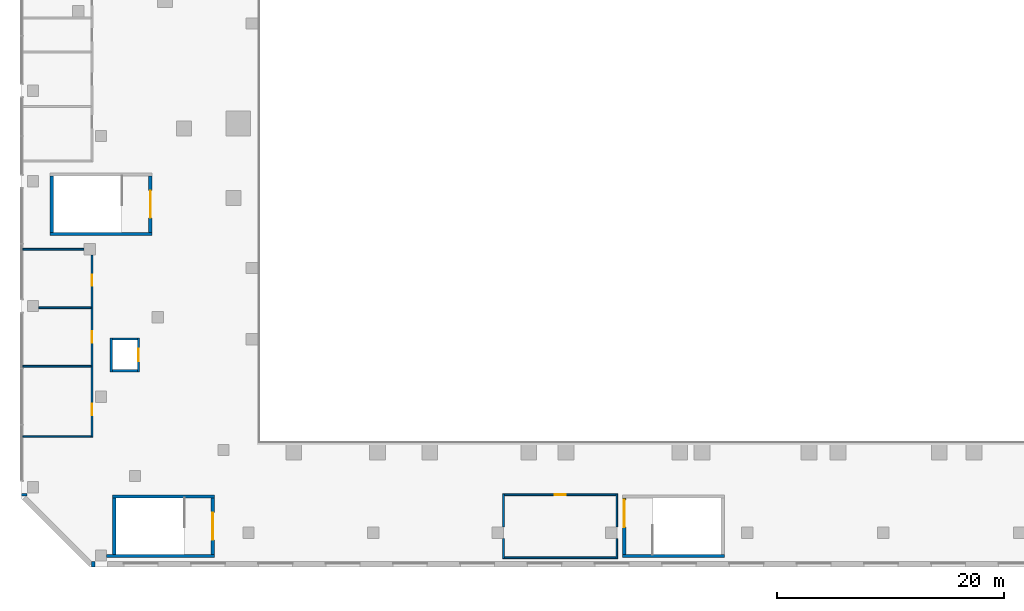
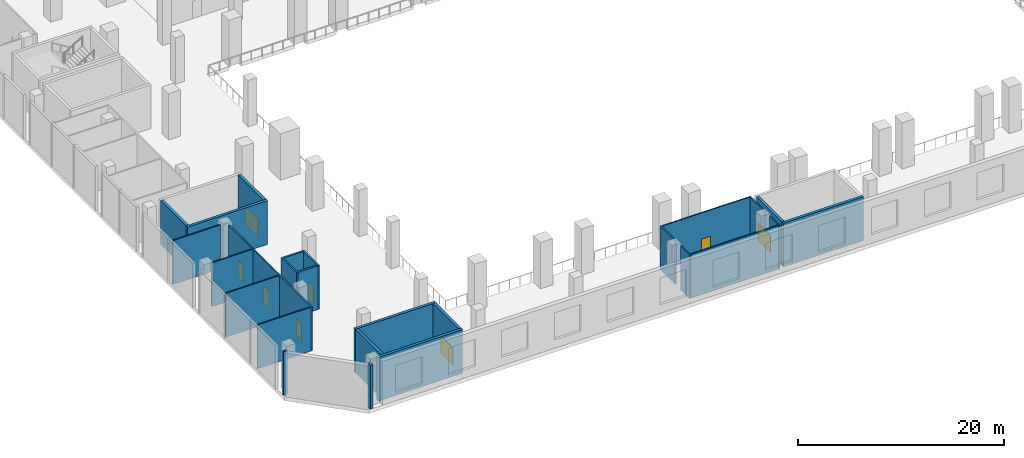
# One storey, part 10 of 25: 26 walls, 8 doors, 8 openings.
"""IFC4 building model written with IfcOpenShell, lengths in metres."""

import ifcopenshell
import ifcopenshell.guid

model = None  # the IFC model being written
_history = None  # IfcOwnerHistory: only IFC2X3 demands one
_inside = {}  # id of a spatial element -> (the spatial element, [elements in it])
_under = {}  # id of a project, library or spatial element -> (it, [spatial elements below it])
_declared = {}  # id of a project -> (the project, [libraries it declares])
_typed = {}  # id of a type object -> (the type object, [elements of that type])
_made_of = {}  # id of a material, layer set ... -> (it, [elements and type objects made of it])


def new_model(schema):
    """Start an empty IFC model of exactly this schema.

    Asked for "IFC4X3", IfcOpenShell would pick the latest addendum, in which some entities
    have other attributes; the version numbers below select the first issue.
    IFC2X3 requires an IfcOwnerHistory on every rooted entity: one is made here for all.
    """
    global model, _history
    if schema == "IFC4X3":
        model = ifcopenshell.file(schema_version=(4, 3, 0, 0))
    else:
        model = ifcopenshell.file(schema=schema)
    _inside.clear()
    _under.clear()
    _declared.clear()
    _typed.clear()
    _made_of.clear()
    _history = None
    if model.schema == "IFC2X3":
        org = make("IfcOrganization", Name="unknown")
        user = make(
            "IfcPersonAndOrganization",
            ThePerson=make("IfcPerson", FamilyName="unknown"),
            TheOrganization=org,
        )
        app = make(
            "IfcApplication",
            ApplicationDeveloper=org,
            Version="unknown",
            ApplicationFullName="unknown",
            ApplicationIdentifier="unknown",
        )
        _history = make(
            "IfcOwnerHistory",
            OwningUser=user,
            OwningApplication=app,
            ChangeAction="ADDED",
            CreationDate=0,
        )
    return model


def make(cls, **values):
    """One entity of the class cls with the attributes given. An attribute that is None is left unset."""
    return model.create_entity(
        cls, **{name: value for name, value in values.items() if value is not None}
    )


def rooted(cls, **values):
    """An entity with a GlobalId (a new one), such as an element, a storey or a relation."""
    return make(cls, GlobalId=ifcopenshell.guid.new(), OwnerHistory=_history, **values)


def si_unit(unit_type, name, prefix=None):
    """IfcSIUnit, for example si_unit("LENGTHUNIT", "METRE", prefix="MILLI")."""
    return make("IfcSIUnit", UnitType=unit_type, Prefix=prefix, Name=name)


def assignment(units):
    """IfcUnitAssignment: the units of a project."""
    return None if units is None else make("IfcUnitAssignment", Units=units)


def point(xyz):
    """IfcCartesianPoint."""
    return None if xyz is None else make("IfcCartesianPoint", Coordinates=xyz)


def direction(xyz):
    """IfcDirection."""
    return None if xyz is None else make("IfcDirection", DirectionRatios=xyz)


def frame(location, z_axis=None, x_axis=None):
    """IfcAxis2Placement3D, a coordinate frame: its origin and axes. An axis left out is left unset."""
    return make(
        "IfcAxis2Placement3D",
        Location=point(location),
        Axis=direction(z_axis),
        RefDirection=direction(x_axis),
    )


def frame_2d(location, x_axis=None):
    """IfcAxis2Placement2D, a coordinate frame in the plane: its origin and x axis."""
    return make(
        "IfcAxis2Placement2D", Location=point(location), RefDirection=direction(x_axis)
    )


def origin():
    """The frame at (0, 0, 0) with its axes left unset."""
    return frame((0.0, 0.0, 0.0))


def place(relative_to, where):
    """IfcLocalPlacement: puts the frame where relative to a parent placement (None: the world)."""
    return make(
        "IfcLocalPlacement", PlacementRelTo=relative_to, RelativePlacement=where
    )


def context(
    kind, dimensions, precision=None, world=None, true_north=None, identifier=None
):
    """IfcGeometricRepresentationContext, for example the 3D "Model" context."""
    return make(
        "IfcGeometricRepresentationContext",
        ContextIdentifier=identifier,
        ContextType=kind,
        CoordinateSpaceDimension=dimensions,
        Precision=precision,
        WorldCoordinateSystem=world,
        TrueNorth=true_north,
    )


def subcontext(parent, identifier, kind, view, scale=None):
    """IfcGeometricRepresentationSubContext, for example "Body" below "Model"."""
    return make(
        "IfcGeometricRepresentationSubContext",
        ContextIdentifier=identifier,
        ContextType=kind,
        ParentContext=parent,
        TargetScale=scale,
        TargetView=view,
    )


def project(units=None, contexts=None):
    """IfcProject with its units and contexts."""
    return rooted(
        "IfcProject",
        Name="project",
        RepresentationContexts=contexts,
        UnitsInContext=assignment(units),
    )


def spatial(cls, under=None, at=None, **own):
    """A site, building, storey or space (cls), placed at a placement, below another one or the project."""
    s = rooted(cls, ObjectPlacement=at, **own)
    if under is not None:
        _under.setdefault(under.id(), (under, []))[1].append(s)
    return s


def profile(cls, at=None, kind="AREA", **sizes):
    """A parametric profile (cls). Its sizes go by their IFC names, for example OverallWidth=200.0."""
    return make(cls, ProfileType=kind, Position=at, **sizes)


def rectangle(**sizes):
    """IfcRectangleProfileDef."""
    return profile("IfcRectangleProfileDef", **sizes)


def extrude(swept, where, along, depth):
    """IfcExtrudedAreaSolid: the profile swept, set in the frame where, extruded along a direction by depth."""
    return make(
        "IfcExtrudedAreaSolid",
        SweptArea=swept,
        Position=where,
        ExtrudedDirection=direction(along),
        Depth=depth,
    )


def shape(context_of_items, identifier, shape_type, items):
    """IfcShapeRepresentation: the items that make up one representation, for example the "Body"."""
    return make(
        "IfcShapeRepresentation",
        ContextOfItems=context_of_items,
        RepresentationIdentifier=identifier,
        RepresentationType=shape_type,
        Items=items,
    )


def material(Name=None, Category=None):
    """IfcMaterial."""
    return make("IfcMaterial", Name=Name, Category=Category)


def layer(
    of_material, thickness, ventilated=None, Name=None, Category=None, Priority=None
):
    """IfcMaterialLayer: one layer of a wall or slab, of a material (None: an air gap)."""
    return make(
        "IfcMaterialLayer",
        Material=of_material,
        LayerThickness=thickness,
        IsVentilated=ventilated,
        Name=Name,
        Category=Category,
        Priority=Priority,
    )


def layer_set(layers, Name=None):
    """IfcMaterialLayerSet."""
    return make("IfcMaterialLayerSet", MaterialLayers=layers, LayerSetName=Name)


def made_of(thing, what):
    """Note that an element or type object is made of a material, layer set ...; save() writes the relation."""
    if what is not None:
        _made_of.setdefault(what.id(), (what, []))[1].append(thing)
    return thing


def type_object(cls, material=None, **own):
    """A type object (cls), such as IfcWallType, which elements share."""
    return made_of(rooted(cls, **own), material)


def element(
    cls,
    number,
    at=None,
    inside=None,
    cuts=None,
    type_object=None,
    material=None,
    context=None,
    identifier="Body",
    shape_type=None,
    held_by="IfcProductDefinitionShape",
    body=None,
    shapes=None,
    **own,
):
    """One element of the class cls, such as IfcWall. Its Tag is "e" and its number.

    at: its placement. inside: the storey or other place that contains it. cuts: it is an
    opening in that element (IfcRelVoidsElement). A single representation is given by context,
    identifier, shape_type and body (its items); several are given by shapes. held_by: the class
    of the entity that holds the representations. save() writes the other relations.
    """
    e = rooted(cls, Tag="e%d" % number, ObjectPlacement=at, **own)
    if body is not None:
        shapes = [shape(context, identifier, shape_type, body)]
    if shapes is not None:
        e.Representation = make(held_by, Representations=shapes)
    if inside is not None:
        _inside.setdefault(inside.id(), (inside, []))[1].append(e)
    if cuts is not None:
        rooted(
            "IfcRelVoidsElement", RelatingBuildingElement=cuts, RelatedOpeningElement=e
        )
    if type_object is not None:
        _typed.setdefault(type_object.id(), (type_object, []))[1].append(e)
    return made_of(e, material)


def fill(opening, filler):
    """IfcRelFillsElement: the door or window that sits in an opening."""
    return rooted(
        "IfcRelFillsElement",
        RelatingOpeningElement=opening,
        RelatedBuildingElement=filler,
    )


def aggregate(whole, parts):
    """IfcRelAggregates: a whole, such as a stair, and the parts it consists of."""
    return rooted("IfcRelAggregates", RelatingObject=whole, RelatedObjects=parts)


def save(model, path):
    """Write the relations noted so far, then the file.

    IfcRelAggregates (storeys below a building ...), IfcRelContainedInSpatialStructure (elements
    in a storey), IfcRelDefinesByType, IfcRelAssociatesMaterial and IfcRelDeclares: one each for
    every whole, place, type object, material and project.
    """
    for whole, parts in _under.values():
        aggregate(whole, parts)
    for where, things in _inside.values():
        rooted(
            "IfcRelContainedInSpatialStructure",
            RelatedElements=things,
            RelatingStructure=where,
        )
    for kind, things in _typed.values():
        rooted("IfcRelDefinesByType", RelatedObjects=things, RelatingType=kind)
    for what, things in _made_of.values():
        rooted("IfcRelAssociatesMaterial", RelatedObjects=things, RelatingMaterial=what)
    for by, libraries in _declared.values():
        rooted("IfcRelDeclares", RelatingContext=by, RelatedDefinitions=libraries)
    model.write(path)


model = new_model("IFC4")

# Units and contexts
model_context = context("Model", 3, precision=1e-05, world=origin(), true_north=direction((0.0, 1.0)))
body_context = subcontext(model_context, "Body", "Model", "MODEL_VIEW")
ifc_project = project(units=[si_unit("LENGTHUNIT", "METRE"), si_unit("AREAUNIT", "SQUARE_METRE"), si_unit("VOLUMEUNIT", "CUBIC_METRE"), si_unit("PLANEANGLEUNIT", "RADIAN"), si_unit("MASSUNIT", "GRAM", prefix="KILO")], contexts=[model_context])

# Site, building, storey
site_placement = place(None, origin())
site = spatial("IfcSite", under=ifc_project, at=site_placement, CompositionType="ELEMENT")
building_placement = place(site_placement, origin())
building = spatial("IfcBuilding", under=site, at=building_placement, Name="Wharfspan Tower", CompositionType="ELEMENT")
storey_placement = place(building_placement, frame((0.0, 0.0, 27.5)))
storey = spatial("IfcBuildingStorey", under=building, at=storey_placement, Name="L04", CompositionType="ELEMENT", Elevation=27.5)

# Wall
ifc_material_1 = material(Name="Calcium silicate masonry", Category="masonry")
ifc_layer_1 = layer(ifc_material_1, 0.149902)
ifc_layer_set_1 = layer_set([ifc_layer_1], Name="Calcium silicate masonry")
wall_type_1 = type_object("IfcWallType", Name="Podium room wall 150", PredefinedType="PARTITIONING", material=ifc_layer_set_1)
wall_1_placement = place(storey_placement, frame((-11.89502, -20.5, 0.0), z_axis=(0.0, 0.0, 1.0), x_axis=(1.0, 0.0, 0.0)))
element("IfcWall", 1, at=wall_1_placement, inside=storey, type_object=wall_type_1, Name="iw:L04:1", PredefinedType="PARTITIONING", context=body_context, shape_type="SweptSolid", body=[
    extrude(rectangle(XDim=6.02002, YDim=0.149902, at=frame_2d((3.01001, 0.0))), origin(), (0.0, 0.0, 1.0), 5.199951),
])

# Wall, openings, doors
wall_2_placement = place(storey_placement, frame((-5.800049, -20.574951, 0.0), z_axis=(0.0, 0.0, 1.0), x_axis=(0.0, 1.0, 0.0)))
wall_2 = element("IfcWall", 2, at=wall_2_placement, inside=storey, type_object=wall_type_1, Name="iw:L04:3", PredefinedType="PARTITIONING", context=body_context, shape_type="SweptSolid", body=[
    extrude(rectangle(XDim=16.064941, YDim=0.149902, at=frame_2d((8.032471, 0.0))), origin(), (0.0, 0.0, 1.0), 5.199951),
])
opening_1_placement = place(wall_2_placement, frame((1.950684, 0.0, 0.0)))
opening_1 = element("IfcOpeningElement", 3, at=opening_1_placement, cuts=wall_2, Name="Opening PD04.1", PredefinedType="OPENING", context=body_context, shape_type="SweptSolid", body=[
    extrude(rectangle(XDim=1.0, YDim=2.100098, at=frame_2d((0.5, 1.050049))), frame((0.0, 0.084961, 0.0), z_axis=(0.0, -1.0, 0.0), x_axis=(1.0, 0.0, 0.0)), (0.0, 0.0, 1.0), 0.169922),
])
opening_2_placement = place(wall_2_placement, frame((8.340576, 0.0, 0.0)))
opening_2 = element("IfcOpeningElement", 4, at=opening_2_placement, cuts=wall_2, Name="Opening PD04.2", PredefinedType="OPENING", context=body_context, shape_type="SweptSolid", body=[
    extrude(rectangle(XDim=1.0, YDim=2.100098, at=frame_2d((0.5, 1.050049))), frame((0.0, 0.084961, 0.0), z_axis=(0.0, -1.0, 0.0), x_axis=(1.0, 0.0, 0.0)), (0.0, 0.0, 1.0), 0.169922),
])
opening_3_placement = place(wall_2_placement, frame((13.341797, 0.0, 0.0)))
opening_3 = element("IfcOpeningElement", 5, at=opening_3_placement, cuts=wall_2, Name="Opening PD04.3", PredefinedType="OPENING", context=body_context, shape_type="SweptSolid", body=[
    extrude(rectangle(XDim=1.0, YDim=2.100098, at=frame_2d((0.5, 1.050049))), frame((0.0, 0.084961, 0.0), z_axis=(0.0, -1.0, 0.0), x_axis=(1.0, 0.0, 0.0)), (0.0, 0.0, 1.0), 0.169922),
])
ifc_material_2 = material(Name="Steel door leaf", Category="steel")
door_type_1 = type_object("IfcDoorType", Name="Podium room door 1000x2100", OperationType="SINGLE_SWING_LEFT", PredefinedType="DOOR", material=ifc_material_2)
door_1_placement = place(opening_1_placement, origin())
door_1 = element("IfcDoor", 6, at=door_1_placement, inside=storey, type_object=door_type_1, Name="id:L04:1", OperationType="SINGLE_SWING_RIGHT", OverallHeight=2.100098, OverallWidth=1.0, PredefinedType="DOOR", context=body_context, shape_type="SweptSolid", body=[
    extrude(rectangle(XDim=1.0, YDim=2.100098, at=frame_2d((0.5, 1.050049))), frame((0.0, 0.024902, 0.0), z_axis=(0.0, -1.0, 0.0), x_axis=(1.0, 0.0, 0.0)), (0.0, 0.0, 1.0), 0.050049),
])
fill(opening_1, door_1)
door_2_placement = place(opening_2_placement, origin())
door_2 = element("IfcDoor", 7, at=door_2_placement, inside=storey, type_object=door_type_1, Name="id:L04:2", OperationType="SINGLE_SWING_LEFT", OverallHeight=2.100098, OverallWidth=1.0, PredefinedType="DOOR", context=body_context, shape_type="SweptSolid", body=[
    extrude(rectangle(XDim=1.0, YDim=2.100098, at=frame_2d((0.5, 1.050049))), frame((0.0, 0.024902, 0.0), z_axis=(0.0, -1.0, 0.0), x_axis=(1.0, 0.0, 0.0)), (0.0, 0.0, 1.0), 0.050049),
])
fill(opening_2, door_2)
door_3_placement = place(opening_3_placement, origin())
door_3 = element("IfcDoor", 8, at=door_3_placement, inside=storey, type_object=door_type_1, Name="id:L04:3", OperationType="SINGLE_SWING_RIGHT", OverallHeight=2.100098, OverallWidth=1.0, PredefinedType="DOOR", context=body_context, shape_type="SweptSolid", body=[
    extrude(rectangle(XDim=1.0, YDim=2.100098, at=frame_2d((0.5, 1.050049))), frame((0.0, 0.024902, 0.0), z_axis=(0.0, -1.0, 0.0), x_axis=(1.0, 0.0, 0.0)), (0.0, 0.0, 1.0), 0.050049),
])
fill(opening_3, door_3)

# Walls
wall_3_placement = place(storey_placement, frame((-11.89502, -14.312012, 0.0), z_axis=(0.0, 0.0, 1.0), x_axis=(1.0, 0.0, 0.0)))
element("IfcWall", 9, at=wall_3_placement, inside=storey, type_object=wall_type_1, Name="iw:L04:6", PredefinedType="PARTITIONING", context=body_context, shape_type="SweptSolid", body=[
    extrude(rectangle(XDim=6.02002, YDim=0.149902, at=frame_2d((3.01001, 0.0))), origin(), (0.0, 0.0, 1.0), 5.199951),
])
wall_4_placement = place(storey_placement, frame((-10.48999, -9.156006, 0.0), z_axis=(0.0, 0.0, 1.0), x_axis=(1.0, 0.0, 0.0)))
element("IfcWall", 10, at=wall_4_placement, inside=storey, type_object=wall_type_1, Name="iw:L04:7", PredefinedType="PARTITIONING", context=body_context, shape_type="SweptSolid", body=[
    extrude(rectangle(XDim=4.61499, YDim=0.149902, at=frame_2d((2.307617, 0.0))), origin(), (0.0, 0.0, 1.0), 5.199951),
])
wall_5_placement = place(storey_placement, frame((-11.89502, -4.0, 0.0), z_axis=(0.0, 0.0, 1.0), x_axis=(1.0, 0.0, 0.0)))
element("IfcWall", 11, at=wall_5_placement, inside=storey, type_object=wall_type_1, Name="iw:L04:8", PredefinedType="PARTITIONING", context=body_context, shape_type="SweptSolid", body=[
    extrude(rectangle(XDim=5.38501, YDim=0.149902, at=frame_2d((2.692383, 0.0))), origin(), (0.0, 0.0, 1.0), 5.199951),
])
wall_6_placement = place(storey_placement, frame((30.574951, -31.199951, 0.0), z_axis=(0.0, 0.0, 1.0), x_axis=(1.0, 0.0, 0.0)))
element("IfcWall", 12, at=wall_6_placement, inside=storey, type_object=wall_type_1, Name="iw:L04:39", PredefinedType="PARTITIONING", context=body_context, shape_type="SweptSolid", body=[
    extrude(rectangle(XDim=9.850098, YDim=0.149902, at=frame_2d((4.925049, 0.0))), origin(), (0.0, 0.0, 1.0), 5.199951),
])
wall_7_placement = place(storey_placement, frame((40.5, -31.274902, 0.0), z_axis=(0.0, 0.0, 1.0), x_axis=(0.0, 1.0, 0.0)))
element("IfcWall", 13, at=wall_7_placement, inside=storey, type_object=wall_type_1, Name="iw:L04:40", PredefinedType="PARTITIONING", context=body_context, shape_type="SweptSolid", body=[
    extrude(rectangle(XDim=1.764893, YDim=0.149902, at=frame_2d((0.882324, 0.0))), origin(), (0.0, 0.0, 1.0), 5.199951),
])
wall_8_placement = place(storey_placement, frame((40.5, -28.48999, 0.0), z_axis=(0.0, 0.0, 1.0), x_axis=(0.0, 1.0, 0.0)))
element("IfcWall", 14, at=wall_8_placement, inside=storey, type_object=wall_type_1, Name="iw:L04:41", PredefinedType="PARTITIONING", context=body_context, shape_type="SweptSolid", body=[
    extrude(rectangle(XDim=2.915039, YDim=0.149902, at=frame_2d((1.45752, 0.0))), origin(), (0.0, 0.0, 1.0), 5.199951),
])

# Wall, opening, door
wall_9_placement = place(storey_placement, frame((30.574951, -25.649902, 0.0), z_axis=(0.0, 0.0, 1.0), x_axis=(1.0, 0.0, 0.0)))
wall_9 = element("IfcWall", 15, at=wall_9_placement, inside=storey, type_object=wall_type_1, Name="iw:L04:42", PredefinedType="PARTITIONING", context=body_context, shape_type="SweptSolid", body=[
    extrude(rectangle(XDim=9.850098, YDim=0.149902, at=frame_2d((4.925049, 0.0))), origin(), (0.0, 0.0, 1.0), 5.199951),
])
opening_4_placement = place(wall_9_placement, frame((4.425049, 0.0, 0.0)))
opening_4 = element("IfcOpeningElement", 16, at=opening_4_placement, cuts=wall_9, Name="Opening PD04.19", PredefinedType="OPENING", context=body_context, shape_type="SweptSolid", body=[
    extrude(rectangle(XDim=1.0, YDim=2.100098, at=frame_2d((0.5, 1.050049))), frame((0.0, 0.084961, 0.0), z_axis=(0.0, -1.0, 0.0), x_axis=(1.0, 0.0, 0.0)), (0.0, 0.0, 1.0), 0.169922),
])
door_4_placement = place(opening_4_placement, origin())
door_4 = element("IfcDoor", 17, at=door_4_placement, inside=storey, type_object=door_type_1, Name="id:L04:19", OperationType="SINGLE_SWING_RIGHT", OverallHeight=2.100098, OverallWidth=1.0, PredefinedType="DOOR", context=body_context, shape_type="SweptSolid", body=[
    extrude(rectangle(XDim=1.0, YDim=2.100098, at=frame_2d((0.5, 1.050049))), frame((0.0, 0.024902, 0.0), z_axis=(0.0, -1.0, 0.0), x_axis=(1.0, 0.0, 0.0)), (0.0, 0.0, 1.0), 0.050049),
])
fill(opening_4, door_4)

# Walls
wall_10_placement = place(storey_placement, frame((30.5, -31.274902, 0.0), z_axis=(0.0, 0.0, 1.0), x_axis=(0.0, 1.0, 0.0)))
element("IfcWall", 18, at=wall_10_placement, inside=storey, type_object=wall_type_1, Name="iw:L04:43", PredefinedType="PARTITIONING", context=body_context, shape_type="SweptSolid", body=[
    extrude(rectangle(XDim=1.764893, YDim=0.149902, at=frame_2d((0.882324, 0.0))), origin(), (0.0, 0.0, 1.0), 5.199951),
])
wall_11_placement = place(storey_placement, frame((30.5, -28.48999, 0.0), z_axis=(0.0, 0.0, 1.0), x_axis=(0.0, 1.0, 0.0)))
element("IfcWall", 19, at=wall_11_placement, inside=storey, type_object=wall_type_1, Name="iw:L04:44", PredefinedType="PARTITIONING", context=body_context, shape_type="SweptSolid", body=[
    extrude(rectangle(XDim=2.915039, YDim=0.149902, at=frame_2d((1.45752, 0.0))), origin(), (0.0, 0.0, 1.0), 5.199951),
])
ifc_material_3 = material(Name="Concrete C30/37", Category="concrete")
ifc_layer_2 = layer(ifc_material_3, 0.199951)
ifc_layer_set_2 = layer_set([ifc_layer_2], Name="Concrete C30/37")
wall_type_2 = type_object("IfcWallType", Name="Podium shaft wall 200", PredefinedType="PARTITIONING", material=ifc_layer_set_2)
wall_12_placement = place(storey_placement, frame((-4.100098, -14.800049, 0.0), z_axis=(0.0, 0.0, 1.0), x_axis=(0.0, 1.0, 0.0)))
element("IfcWall", 20, at=wall_12_placement, inside=storey, type_object=wall_type_2, Name="pl:LP3:L04:W", PredefinedType="PARTITIONING", context=body_context, shape_type="SweptSolid", body=[
    extrude(rectangle(XDim=3.0, YDim=0.199951, at=frame_2d((1.5, 0.0))), origin(), (0.0, 0.0, 1.0), 5.199951),
])

# Wall, opening, door
wall_13_placement = place(storey_placement, frame((-1.699951, -14.800049, 0.0), z_axis=(0.0, 0.0, 1.0), x_axis=(0.0, 1.0, 0.0)))
wall_13 = element("IfcWall", 21, at=wall_13_placement, inside=storey, type_object=wall_type_2, Name="pl:LP3:L04:E", PredefinedType="PARTITIONING", context=body_context, shape_type="SweptSolid", body=[
    extrude(rectangle(XDim=3.0, YDim=0.199951, at=frame_2d((1.5, 0.0))), origin(), (0.0, 0.0, 1.0), 5.199951),
])
opening_5_placement = place(wall_13_placement, frame((0.949951, 0.0, 0.0)))
opening_5 = element("IfcOpeningElement", 22, at=opening_5_placement, cuts=wall_13, Name="Opening LDP3.L04", PredefinedType="OPENING", context=body_context, shape_type="SweptSolid", body=[
    extrude(rectangle(XDim=1.100098, YDim=2.100098, at=frame_2d((0.550049, 1.050049))), frame((0.0, 0.109863, 0.0), z_axis=(0.0, -1.0, 0.0), x_axis=(1.0, 0.0, 0.0)), (0.0, 0.0, 1.0), 0.219971),
])
ifc_material_4 = material(Name="Stainless steel", Category="steel")
door_type_2 = type_object("IfcDoorType", Name="Podium lift landing door 1100x2100", OperationType="DOUBLE_DOOR_SLIDING", PredefinedType="DOOR", material=ifc_material_4)
door_5_placement = place(opening_5_placement, origin())
door_5 = element("IfcDoor", 23, at=door_5_placement, inside=storey, type_object=door_type_2, Name="Landing door LP3 L04", OperationType="DOUBLE_DOOR_SLIDING", OverallHeight=2.100098, OverallWidth=1.100098, PredefinedType="DOOR", context=body_context, shape_type="SweptSolid", body=[
    extrude(rectangle(XDim=1.100098, YDim=2.100098, at=frame_2d((0.550049, 1.050049))), frame((0.0, 0.024902, 0.0), z_axis=(0.0, -1.0, 0.0), x_axis=(1.0, 0.0, 0.0)), (0.0, 0.0, 1.0), 0.050049),
])
fill(opening_5, door_5)

# Walls
for number, where, z_axis, x_axis, name in (
    (24, (-4.0, -14.699951, 0.0), (0.0, 0.0, 1.0), (1.0, 0.0, 0.0), "pl:LP3:L04:S"),
    (25, (-4.0, -11.899902, 0.0), (0.0, 0.0, 1.0), (1.0, 0.0, 0.0), "pl:LP3:L04:N"),
):
    element("IfcWall", number, at=place(storey_placement, frame(where, z_axis=z_axis, x_axis=x_axis)), inside=storey, type_object=wall_type_2, Name=name, PredefinedType="PARTITIONING", context=body_context, shape_type="SweptSolid", body=[
        extrude(rectangle(XDim=2.199951, YDim=0.199951, at=frame_2d((1.100098, 0.0))), origin(), (0.0, 0.0, 1.0), 5.199951),
    ])
ifc_material_5 = material(Name="Concrete C40/50", Category="concrete")
ifc_layer_3 = layer(ifc_material_5, 0.300049)
ifc_layer_set_3 = layer_set([ifc_layer_3], Name="Concrete C40/50")
wall_type_3 = type_object("IfcWallType", Name="Podium stair core wall 300", PredefinedType="SHEAR", material=ifc_layer_set_3)
wall_14_placement = place(storey_placement, frame((-4.5, -31.050049, 0.0), z_axis=(0.0, 0.0, 1.0), x_axis=(1.0, 0.0, 0.0)))
element("IfcWall", 26, at=wall_14_placement, inside=storey, type_object=wall_type_3, Name="iw:L04:AS1S", PredefinedType="SHEAR", context=body_context, shape_type="SweptSolid", body=[
    extrude(rectangle(XDim=9.5, YDim=0.300049, at=frame_2d((4.75, 0.0))), origin(), (0.0, 0.0, 1.0), 5.199951),
])
wall_15_placement = place(storey_placement, frame((-4.0, -25.800049, 0.0), z_axis=(0.0, 0.0, 1.0), x_axis=(1.0, 0.0, 0.0)))
element("IfcWall", 27, at=wall_15_placement, inside=storey, type_object=wall_type_3, Name="iw:L04:AS1N", PredefinedType="SHEAR", context=body_context, shape_type="SweptSolid", body=[
    extrude(rectangle(XDim=9.0, YDim=0.300049, at=frame_2d((4.5, 0.0))), origin(), (0.0, 0.0, 1.0), 5.199951),
])
wall_16_placement = place(storey_placement, frame((-3.850098, -30.899902, 0.0), z_axis=(0.0, 0.0, 1.0), x_axis=(0.0, 1.0, 0.0)))
element("IfcWall", 28, at=wall_16_placement, inside=storey, type_object=wall_type_3, Name="iw:L04:AS1W", PredefinedType="SHEAR", context=body_context, shape_type="SweptSolid", body=[
    extrude(rectangle(XDim=4.949951, YDim=0.300049, at=frame_2d((2.475098, 0.0))), origin(), (0.0, 0.0, 1.0), 5.199951),
])

# Wall, opening, door
wall_17_placement = place(storey_placement, frame((4.850098, -30.899902, 0.0), z_axis=(0.0, 0.0, 1.0), x_axis=(0.0, 1.0, 0.0)))
wall_17 = element("IfcWall", 29, at=wall_17_placement, inside=storey, type_object=wall_type_3, Name="iw:L04:AS1E", PredefinedType="SHEAR", context=body_context, shape_type="SweptSolid", body=[
    extrude(rectangle(XDim=4.949951, YDim=0.300049, at=frame_2d((2.475098, 0.0))), origin(), (0.0, 0.0, 1.0), 5.199951),
])
opening_6_placement = place(wall_17_placement, frame((1.274902, 0.0, 0.0)))
opening_6 = element("IfcOpeningElement", 30, at=opening_6_placement, cuts=wall_17, Name="Opening SDAS1.L04", PredefinedType="OPENING", context=body_context, shape_type="SweptSolid", body=[
    extrude(rectangle(XDim=2.399902, YDim=2.100098, at=frame_2d((1.199951, 1.050049))), frame((0.0, 0.159912, 0.0), z_axis=(0.0, -1.0, 0.0), x_axis=(1.0, 0.0, 0.0)), (0.0, 0.0, 1.0), 0.320068),
])
door_type_3 = type_object("IfcDoorType", Name="Podium stair door 2400x2100", OperationType="DOUBLE_DOOR_SINGLE_SWING", PredefinedType="DOOR", material=ifc_material_2)
door_6_placement = place(opening_6_placement, origin())
door_6 = element("IfcDoor", 31, at=door_6_placement, inside=storey, type_object=door_type_3, Name="id:L04:AS1", OperationType="DOUBLE_DOOR_SINGLE_SWING", OverallHeight=2.100098, OverallWidth=2.399902, PredefinedType="DOOR", context=body_context, shape_type="SweptSolid", body=[
    extrude(rectangle(XDim=2.399902, YDim=2.100098, at=frame_2d((1.199951, 1.050049))), frame((0.0, 0.024902, 0.0), z_axis=(0.0, -1.0, 0.0), x_axis=(1.0, 0.0, 0.0)), (0.0, 0.0, 1.0), 0.050049),
])
fill(opening_6, door_6)

# Wall
wall_18_placement = place(storey_placement, frame((41.0, -31.050049, 0.0), z_axis=(0.0, 0.0, 1.0), x_axis=(1.0, 0.0, 0.0)))
element("IfcWall", 32, at=wall_18_placement, inside=storey, type_object=wall_type_3, Name="iw:L04:AS5S", PredefinedType="SHEAR", context=body_context, shape_type="SweptSolid", body=[
    extrude(rectangle(XDim=9.0, YDim=0.300049, at=frame_2d((4.5, 0.0))), origin(), (0.0, 0.0, 1.0), 5.199951),
])

# Wall, opening, door
wall_19_placement = place(storey_placement, frame((41.149902, -30.899902, 0.0), z_axis=(0.0, 0.0, 1.0), x_axis=(0.0, 1.0, 0.0)))
wall_19 = element("IfcWall", 33, at=wall_19_placement, inside=storey, type_object=wall_type_3, Name="iw:L04:AS5W", PredefinedType="SHEAR", context=body_context, shape_type="SweptSolid", body=[
    extrude(rectangle(XDim=4.949951, YDim=0.300049, at=frame_2d((2.475098, 0.0))), origin(), (0.0, 0.0, 1.0), 5.199951),
])
opening_7_placement = place(wall_19_placement, frame((2.396973, 0.0, 0.0)))
opening_7 = element("IfcOpeningElement", 34, at=opening_7_placement, cuts=wall_19, Name="Opening SDAS5.L04", PredefinedType="OPENING", context=body_context, shape_type="SweptSolid", body=[
    extrude(rectangle(XDim=2.399902, YDim=2.100098, at=frame_2d((1.199951, 1.050049))), frame((0.0, 0.159912, 0.0), z_axis=(0.0, -1.0, 0.0), x_axis=(1.0, 0.0, 0.0)), (0.0, 0.0, 1.0), 0.320068),
])
door_7_placement = place(opening_7_placement, origin())
door_7 = element("IfcDoor", 35, at=door_7_placement, inside=storey, type_object=door_type_3, Name="id:L04:AS5", OperationType="DOUBLE_DOOR_SINGLE_SWING", OverallHeight=2.100098, OverallWidth=2.399902, PredefinedType="DOOR", context=body_context, shape_type="SweptSolid", body=[
    extrude(rectangle(XDim=2.399902, YDim=2.100098, at=frame_2d((1.199951, 1.050049))), frame((0.0, 0.024902, 0.0), z_axis=(0.0, -1.0, 0.0), x_axis=(1.0, 0.0, 0.0)), (0.0, 0.0, 1.0), 0.050049),
])
fill(opening_7, door_7)

# Walls
wall_20_placement = place(storey_placement, frame((-9.5, -2.649902, 0.0), z_axis=(0.0, 0.0, 1.0), x_axis=(1.0, 0.0, 0.0)))
element("IfcWall", 36, at=wall_20_placement, inside=storey, type_object=wall_type_3, Name="iw:L04:AS7S", PredefinedType="SHEAR", context=body_context, shape_type="SweptSolid", body=[
    extrude(rectangle(XDim=9.0, YDim=0.300049, at=frame_2d((4.5, 0.0))), origin(), (0.0, 0.0, 1.0), 5.199951),
])
wall_21_placement = place(storey_placement, frame((-9.350098, -2.5, 0.0), z_axis=(0.0, 0.0, 1.0), x_axis=(0.0, 1.0, 0.0)))
element("IfcWall", 37, at=wall_21_placement, inside=storey, type_object=wall_type_3, Name="iw:L04:AS7W", PredefinedType="SHEAR", context=body_context, shape_type="SweptSolid", body=[
    extrude(rectangle(XDim=4.949951, YDim=0.300049, at=frame_2d((2.475098, 0.0))), origin(), (0.0, 0.0, 1.0), 5.199951),
])

# Wall, opening, door
wall_22_placement = place(storey_placement, frame((-0.649902, -2.5, 0.0), z_axis=(0.0, 0.0, 1.0), x_axis=(0.0, 1.0, 0.0)))
wall_22 = element("IfcWall", 38, at=wall_22_placement, inside=storey, type_object=wall_type_3, Name="iw:L04:AS7E", PredefinedType="SHEAR", context=body_context, shape_type="SweptSolid", body=[
    extrude(rectangle(XDim=4.949951, YDim=0.300049, at=frame_2d((2.475098, 0.0))), origin(), (0.0, 0.0, 1.0), 5.199951),
])
opening_8_placement = place(wall_22_placement, frame((1.274902, 0.0, 0.0)))
opening_8 = element("IfcOpeningElement", 39, at=opening_8_placement, cuts=wall_22, Name="Opening SDAS7.L04", PredefinedType="OPENING", context=body_context, shape_type="SweptSolid", body=[
    extrude(rectangle(XDim=2.399902, YDim=2.100098, at=frame_2d((1.199951, 1.050049))), frame((0.0, 0.159912, 0.0), z_axis=(0.0, -1.0, 0.0), x_axis=(1.0, 0.0, 0.0)), (0.0, 0.0, 1.0), 0.320068),
])
door_8_placement = place(opening_8_placement, origin())
door_8 = element("IfcDoor", 40, at=door_8_placement, inside=storey, type_object=door_type_3, Name="id:L04:AS7", OperationType="DOUBLE_DOOR_SINGLE_SWING", OverallHeight=2.100098, OverallWidth=2.399902, PredefinedType="DOOR", context=body_context, shape_type="SweptSolid", body=[
    extrude(rectangle(XDim=2.399902, YDim=2.100098, at=frame_2d((1.199951, 1.050049))), frame((0.0, 0.024902, 0.0), z_axis=(0.0, -1.0, 0.0), x_axis=(1.0, 0.0, 0.0)), (0.0, 0.0, 1.0), 0.050049),
])
fill(opening_8, door_8)

# Walls
ifc_layer_4 = layer(ifc_material_5, 0.449951)
ifc_layer_set_4 = layer_set([ifc_layer_4], Name="Concrete C40/50")
wall_type_4 = type_object("IfcWallType", Name="WALL BOARD-MARKED CONCRETE 450", PredefinedType="SOLIDWALL", material=ifc_layer_set_4)
wall_23_placement = place(storey_placement, frame((-5.840088, -31.774902, 0.0), z_axis=(0.0, 0.0, 1.0), x_axis=(1.0, 0.0, 0.0)))
element("IfcWall", 41, at=wall_23_placement, inside=storey, type_object=wall_type_4, Name="Podium wall PF1", PredefinedType="SOLIDWALL", context=body_context, shape_type="SweptSolid", body=[
    extrude(rectangle(XDim=0.290039, YDim=0.449951, at=frame_2d((0.14502, 0.0))), origin(), (0.0, 0.0, 1.0), 5.199951),
])
wall_24_placement = place(storey_placement, frame((-11.774902, -25.550049, 0.0), z_axis=(0.0, 0.0, 1.0), x_axis=(0.0, -1.0, 0.0)))
element("IfcWall", 42, at=wall_24_placement, inside=storey, type_object=wall_type_4, Name="Podium wall PF12", PredefinedType="SOLIDWALL", context=body_context, shape_type="SweptSolid", body=[
    extrude(rectangle(XDim=0.199951, YDim=0.449951, at=frame_2d((0.100098, 0.0))), origin(), (0.0, 0.0, 1.0), 5.199951),
])

save(model, "model.ifc")
